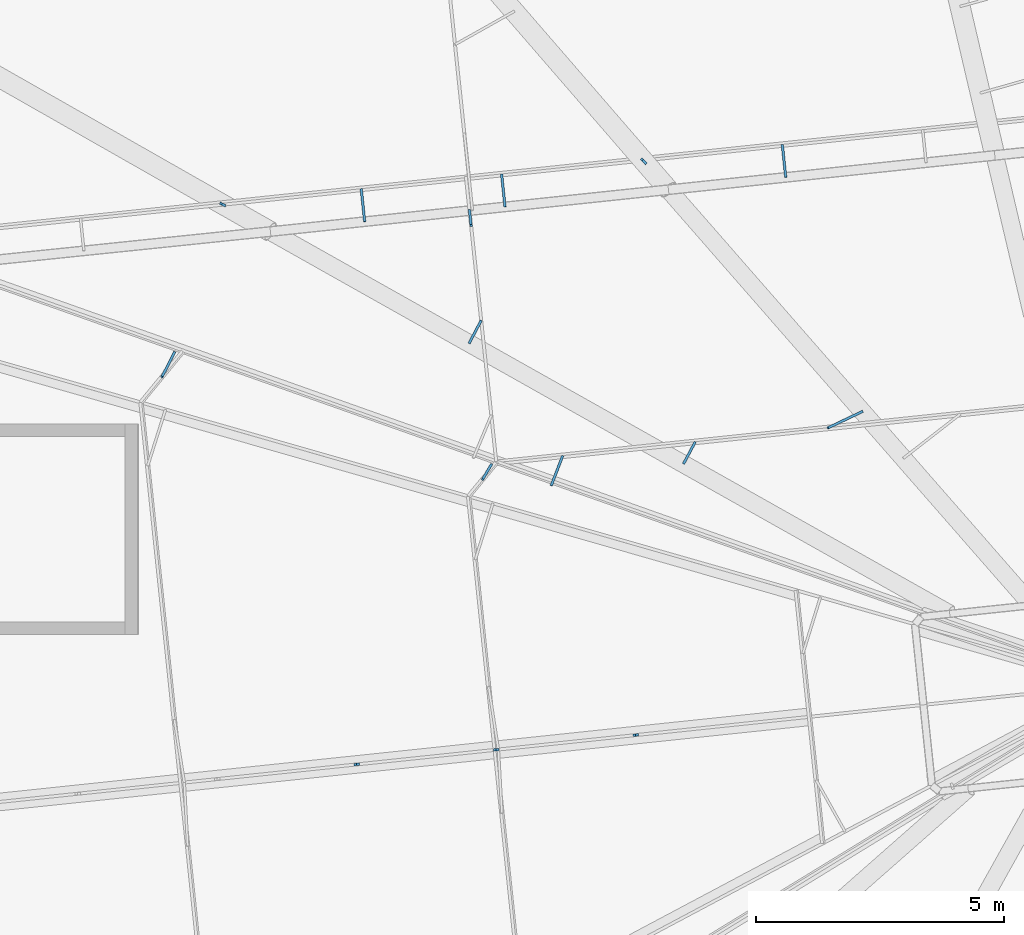
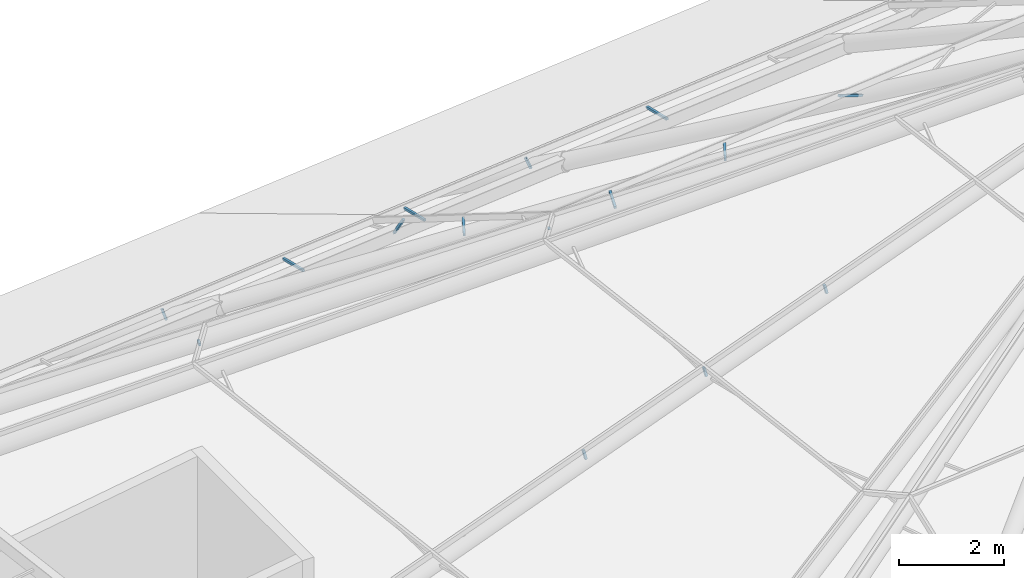
# One storey, part 12 of 20: 15 discrete accessories.
"""IFC4 building model written with IfcOpenShell, lengths in metres."""

from ifc_helpers import new_model, si_unit, direction, frame, origin, origin_2d, place, context, subcontext, project, spatial, rectangle, extrude, material, material_profile, profile_set, type_object, element, save


model = new_model("IFC4")

# Units and contexts
model_context = context("Model", 3, precision=1e-05, world=origin(), true_north=direction((0.0, 1.0)))
body_context = subcontext(model_context, "Body", "Model", "MODEL_VIEW")
ifc_project = project(units=[si_unit("LENGTHUNIT", "METRE"), si_unit("AREAUNIT", "SQUARE_METRE"), si_unit("VOLUMEUNIT", "CUBIC_METRE"), si_unit("PLANEANGLEUNIT", "RADIAN"), si_unit("MASSUNIT", "GRAM", prefix="KILO")], contexts=[model_context])

# Site, building, storey
site_placement = place(None, origin())
site = spatial("IfcSite", under=ifc_project, at=site_placement, CompositionType="ELEMENT")
building_placement = place(site_placement, origin())
building = spatial("IfcBuilding", under=site, at=building_placement, Name="Hakoniwa Tower and Hamabe Station Hall", CompositionType="ELEMENT")
storey_placement = place(building_placement, frame((0.0, 0.0, 285.0)))
storey = spatial("IfcBuildingStorey", under=building, at=storey_placement, Name="Roof", CompositionType="ELEMENT", Elevation=285.0)

# Discrete accessories
ifc_material = material(Name="Stainless steel SUS304", Category="steel")
ifc_material_profile = material_profile(ifc_material, rectangle(XDim=0.050048828125, YDim=0.050048828125, at=origin_2d()), Name="CW-4 GLAZING BRACKET 50X50")
ifc_profile_set = profile_set([ifc_material_profile], Name="Stainless steel SUS304")
discrete_accessory_type = type_object("IfcDiscreteAccessoryType", Name="CW-4 GLAZING BRACKET 50X50", PredefinedType="BRACKET", material=ifc_profile_set)
discrete_accessory_1_placement = place(storey_placement, frame((-13.161865234375, 11.7568359375, 3.687744140625), z_axis=(-0.055273327849, 0.524671435119, -0.849508531092), x_axis=(-0.994496617459, -0.104768687415, 0.0)))
element("IfcDiscreteAccessory", 1, at=discrete_accessory_1_placement, inside=storey, type_object=discrete_accessory_type, Name="Glazing bracket", PredefinedType="BRACKET", context=body_context, shape_type="SweptSolid", body=[
    extrude(rectangle(XDim=0.050048828125, YDim=0.050048828125, at=origin_2d()), origin(), (0.0, 0.0, 1.0), 0.57421875),
])
discrete_accessory_2_placement = place(storey_placement, frame((-12.95751953125, 9.840087890625, 4.818359375), z_axis=(-0.466679955828, -0.881248092061, -0.074910740666), x_axis=(0.883731161791, -0.467994907749, 0.0)))
element("IfcDiscreteAccessory", 2, at=discrete_accessory_2_placement, inside=storey, type_object=discrete_accessory_type, Name="Glazing bracket", PredefinedType="BRACKET", context=body_context, shape_type="SweptSolid", body=[
    extrude(rectangle(XDim=0.050048828125, YDim=0.050048828125, at=origin_2d()), origin(), (0.0, 0.0, 1.0), 0.524658203125),
])
discrete_accessory_3_placement = place(storey_placement, frame((-19.4052734375, 8.69873046875, 4.8134765625), z_axis=(0.404713671327, 0.789807193188, -0.460881158032), x_axis=(-0.889961840808, 0.456035000745, 0.0)))
element("IfcDiscreteAccessory", 3, at=discrete_accessory_3_placement, inside=storey, type_object=discrete_accessory_type, Name="Glazing bracket", PredefinedType="BRACKET", context=body_context, shape_type="SweptSolid", body=[
    extrude(rectangle(XDim=0.050048828125, YDim=0.050048828125, at=origin_2d()), origin(), (0.0, 0.0, 1.0), 0.634521484375),
])
discrete_accessory_4_placement = place(storey_placement, frame((-12.931396484375, 6.626220703125, 6.513427734375), z_axis=(0.406659501111, 0.693484824541, -0.594732585527), x_axis=(-0.862625286918, 0.505843468249, 0.0)))
element("IfcDiscreteAccessory", 4, at=discrete_accessory_4_placement, inside=storey, type_object=discrete_accessory_type, Name="Glazing bracket", PredefinedType="BRACKET", context=body_context, shape_type="SweptSolid", body=[
    extrude(rectangle(XDim=0.050048828125, YDim=0.050048828125, at=origin_2d()), origin(), (0.0, 0.0, 1.0), 0.43994140625),
])
discrete_accessory_5_placement = place(storey_placement, frame((-15.5009765625, 0.870849609375, 5.75146484375), z_axis=(0.258311894076, 0.026824696692, -0.965689080929), x_axis=(-0.103290702639, 0.9946512106, 0.0)))
element("IfcDiscreteAccessory", 5, at=discrete_accessory_5_placement, inside=storey, type_object=discrete_accessory_type, Name="Glazing bracket", PredefinedType="BRACKET", context=body_context, shape_type="SweptSolid", body=[
    extrude(rectangle(XDim=0.050048828125, YDim=0.050048828125, at=origin_2d()), origin(), (0.0, 0.0, 1.0), 0.245849609375),
])
discrete_accessory_6_placement = place(storey_placement, frame((-12.6826171875, 1.1669921875, 6.50537109375), z_axis=(0.257634764563, 0.026687266449, -0.965873758779), x_axis=(-0.103034353585, 0.994677798074, 0.0)))
element("IfcDiscreteAccessory", 6, at=discrete_accessory_6_placement, inside=storey, type_object=discrete_accessory_type, Name="Glazing bracket", PredefinedType="BRACKET", context=body_context, shape_type="SweptSolid", body=[
    extrude(rectangle(XDim=0.050048828125, YDim=0.050048828125, at=origin_2d()), origin(), (0.0, 0.0, 1.0), 0.23779296875),
])
discrete_accessory_7_placement = place(storey_placement, frame((-9.8642578125, 1.463134765625, 7.25927734375), z_axis=(0.258159399467, 0.027621993359, -0.965707383191), x_axis=(-0.106388642832, 0.994324623388, 0.0)))
element("IfcDiscreteAccessory", 7, at=discrete_accessory_7_placement, inside=storey, type_object=discrete_accessory_type, Name="Glazing bracket", PredefinedType="BRACKET", context=body_context, shape_type="SweptSolid", body=[
    extrude(rectangle(XDim=0.050048828125, YDim=0.050048828125, at=origin_2d()), origin(), (0.0, 0.0, 1.0), 0.229736328125),
])
discrete_accessory_8_placement = place(storey_placement, frame((-18.21484375, 12.19921875, 3.106689453125), z_axis=(0.278875838029, -0.136703842171, -0.950547382564), x_axis=(0.440157217023, 0.897920722727, 0.0)))
element("IfcDiscreteAccessory", 8, at=discrete_accessory_8_placement, inside=storey, type_object=discrete_accessory_type, Name="Glazing bracket", PredefinedType="BRACKET", context=body_context, shape_type="SweptSolid", body=[
    extrude(rectangle(XDim=0.050048828125, YDim=0.050048828125, at=origin_2d()), origin(), (0.0, 0.0, 1.0), 0.267822265625),
])
discrete_accessory_9_placement = place(storey_placement, frame((-15.38037109375, 12.497314453125, 3.106689453125), z_axis=(0.103539407155, -0.984895904549, 0.138779135204), x_axis=(0.994519514743, 0.104551110919, 0.0)))
element("IfcDiscreteAccessory", 9, at=discrete_accessory_9_placement, inside=storey, type_object=discrete_accessory_type, Name="Glazing bracket", PredefinedType="BRACKET", context=body_context, shape_type="SweptSolid", body=[
    extrude(rectangle(XDim=0.050048828125, YDim=0.050048828125, at=origin_2d()), origin(), (0.0, 0.0, 1.0), 0.672119140625),
])
discrete_accessory_10_placement = place(storey_placement, frame((-12.545654296875, 12.795166015625, 3.106689453125), z_axis=(0.103576467532, -0.984885007061, 0.138828809113), x_axis=(0.994515502578, 0.104589268721, 0.0)))
element("IfcDiscreteAccessory", 10, at=discrete_accessory_10_placement, inside=storey, type_object=discrete_accessory_type, Name="Glazing bracket", PredefinedType="BRACKET", context=body_context, shape_type="SweptSolid", body=[
    extrude(rectangle(XDim=0.050048828125, YDim=0.050048828125, at=origin_2d()), origin(), (0.0, 0.0, 1.0), 0.671875),
])
discrete_accessory_11_placement = place(storey_placement, frame((-9.711181640625, 13.093017578125, 3.106689453125), z_axis=(0.284316641704, -0.306334428772, -0.908473040326), x_axis=(0.732956628714, 0.680275371025, 0.0)))
element("IfcDiscreteAccessory", 11, at=discrete_accessory_11_placement, inside=storey, type_object=discrete_accessory_type, Name="Glazing bracket", PredefinedType="BRACKET", context=body_context, shape_type="SweptSolid", body=[
    extrude(rectangle(XDim=0.050048828125, YDim=0.050048828125, at=origin_2d()), origin(), (0.0, 0.0, 1.0), 0.255126953125),
])
discrete_accessory_12_placement = place(storey_placement, frame((-6.87646484375, 13.39111328125, 3.106689453125), z_axis=(0.103539407155, -0.984895904549, 0.138779135204), x_axis=(0.994519514743, 0.104551110919, 0.0)))
element("IfcDiscreteAccessory", 12, at=discrete_accessory_12_placement, inside=storey, type_object=discrete_accessory_type, Name="Glazing bracket", PredefinedType="BRACKET", context=body_context, shape_type="SweptSolid", body=[
    extrude(rectangle(XDim=0.050048828125, YDim=0.050048828125, at=origin_2d()), origin(), (0.0, 0.0, 1.0), 0.672119140625),
])
discrete_accessory_13_placement = place(storey_placement, frame((-11.3125, 7.10595703125, 6.5146484375), z_axis=(-0.356234668218, -0.929144277188, 0.098933176073), x_axis=(0.933725058273, -0.357990943395, 0.0)))
element("IfcDiscreteAccessory", 13, at=discrete_accessory_13_placement, inside=storey, type_object=discrete_accessory_type, Name="Glazing bracket", PredefinedType="BRACKET", context=body_context, shape_type="SweptSolid", body=[
    extrude(rectangle(XDim=0.050048828125, YDim=0.050048828125, at=origin_2d()), origin(), (0.0, 0.0, 1.0), 0.64892578125),
])
discrete_accessory_14_placement = place(storey_placement, frame((-8.635009765625, 7.387451171875, 6.5146484375), z_axis=(-0.470639394256, -0.880100484448, -0.062623460853), x_axis=(0.881831321067, -0.47156497027, 0.0)))
element("IfcDiscreteAccessory", 14, at=discrete_accessory_14_placement, inside=storey, type_object=discrete_accessory_type, Name="Glazing bracket", PredefinedType="BRACKET", context=body_context, shape_type="SweptSolid", body=[
    extrude(rectangle(XDim=0.050048828125, YDim=0.050048828125, at=origin_2d()), origin(), (0.0, 0.0, 1.0), 0.5068359375),
])
discrete_accessory_15_placement = place(storey_placement, frame((-5.95751953125, 7.6689453125, 6.5146484375), z_axis=(0.788195935392, 0.374924142877, -0.488035915194), x_axis=(-0.42955319417, 0.903041556839, 0.0)))
element("IfcDiscreteAccessory", 15, at=discrete_accessory_15_placement, inside=storey, type_object=discrete_accessory_type, Name="Glazing bracket", PredefinedType="BRACKET", context=body_context, shape_type="SweptSolid", body=[
    extrude(rectangle(XDim=0.050048828125, YDim=0.050048828125, at=origin_2d()), origin(), (0.0, 0.0, 1.0), 0.885009765625),
])

save(model, "model.ifc")
